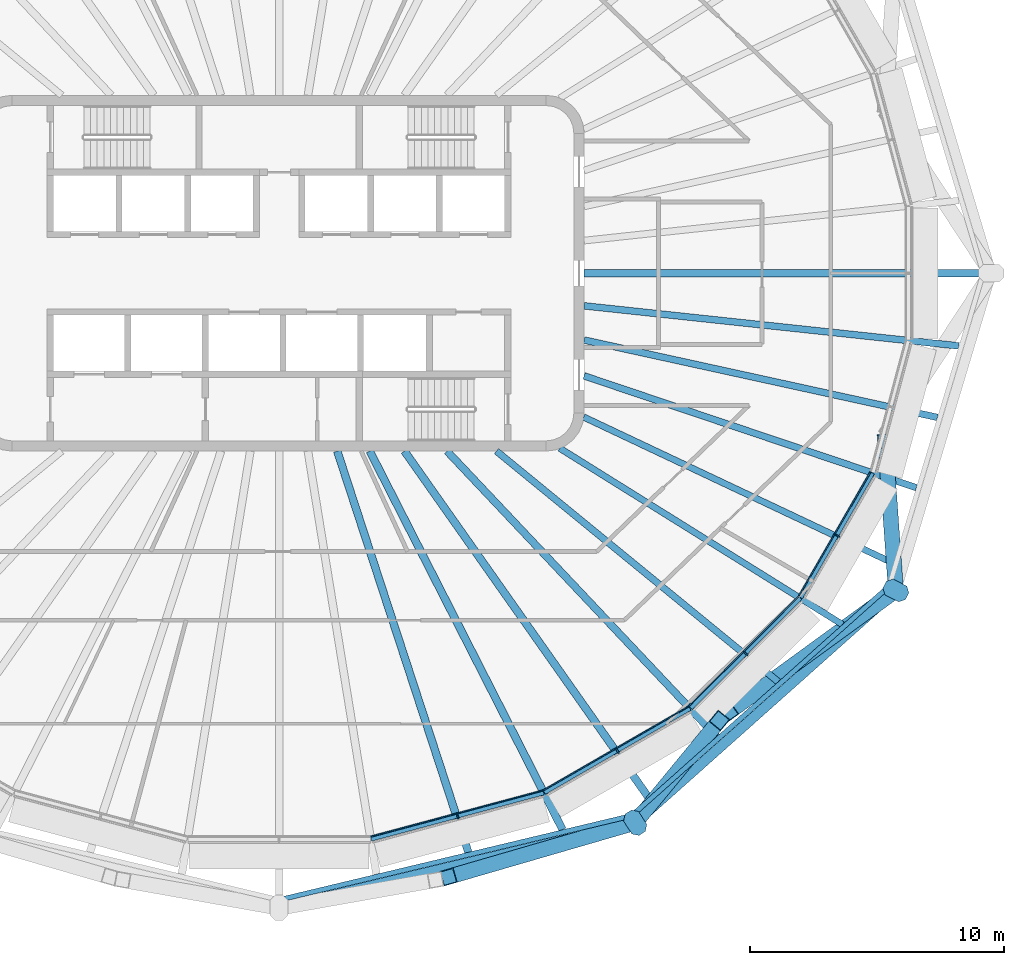
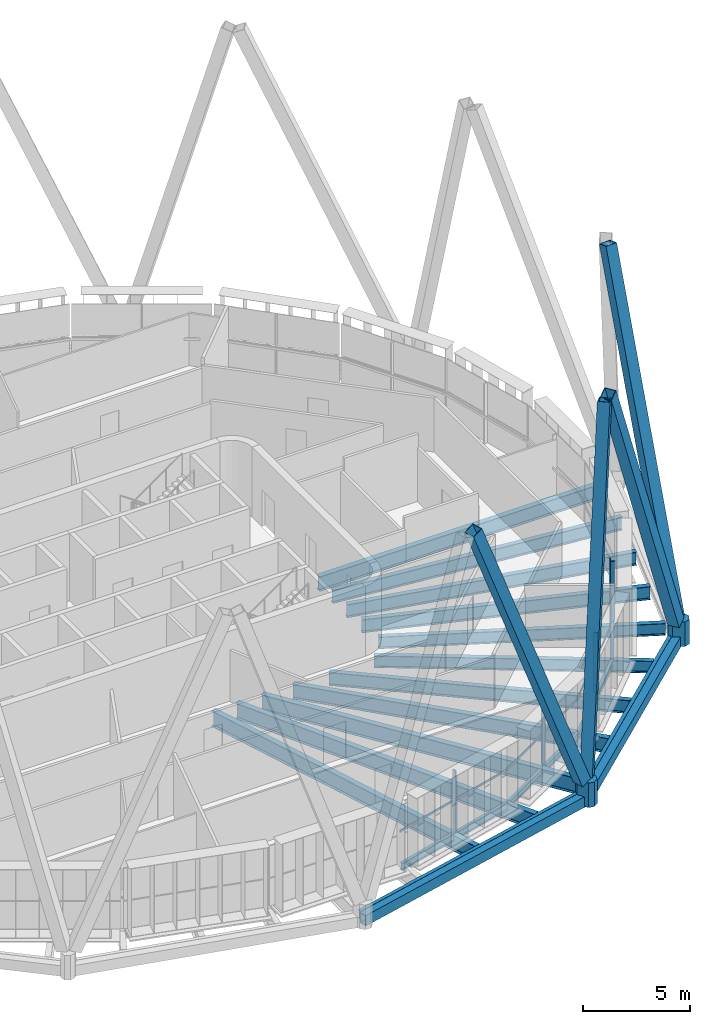
# One storey, part 3 of 18: 19 beams, 14 members, 4 elements without a shape of their own.
"""IFC4 building model written with IfcOpenShell, lengths in metres."""

import ifcopenshell
import ifcopenshell.guid

model = None  # the IFC model being written
_history = None  # IfcOwnerHistory: only IFC2X3 demands one
_inside = {}  # id of a spatial element -> (the spatial element, [elements in it])
_under = {}  # id of a project, library or spatial element -> (it, [spatial elements below it])
_declared = {}  # id of a project -> (the project, [libraries it declares])
_typed = {}  # id of a type object -> (the type object, [elements of that type])
_made_of = {}  # id of a material, layer set ... -> (it, [elements and type objects made of it])


def new_model(schema):
    """Start an empty IFC model of exactly this schema.

    Asked for "IFC4X3", IfcOpenShell would pick the latest addendum, in which some entities
    have other attributes; the version numbers below select the first issue.
    IFC2X3 requires an IfcOwnerHistory on every rooted entity: one is made here for all.
    """
    global model, _history
    if schema == "IFC4X3":
        model = ifcopenshell.file(schema_version=(4, 3, 0, 0))
    else:
        model = ifcopenshell.file(schema=schema)
    _inside.clear()
    _under.clear()
    _declared.clear()
    _typed.clear()
    _made_of.clear()
    _history = None
    if model.schema == "IFC2X3":
        org = make("IfcOrganization", Name="unknown")
        user = make(
            "IfcPersonAndOrganization",
            ThePerson=make("IfcPerson", FamilyName="unknown"),
            TheOrganization=org,
        )
        app = make(
            "IfcApplication",
            ApplicationDeveloper=org,
            Version="unknown",
            ApplicationFullName="unknown",
            ApplicationIdentifier="unknown",
        )
        _history = make(
            "IfcOwnerHistory",
            OwningUser=user,
            OwningApplication=app,
            ChangeAction="ADDED",
            CreationDate=0,
        )
    return model


def make(cls, **values):
    """One entity of the class cls with the attributes given. An attribute that is None is left unset."""
    return model.create_entity(
        cls, **{name: value for name, value in values.items() if value is not None}
    )


def rooted(cls, **values):
    """An entity with a GlobalId (a new one), such as an element, a storey or a relation."""
    return make(cls, GlobalId=ifcopenshell.guid.new(), OwnerHistory=_history, **values)


def si_unit(unit_type, name, prefix=None):
    """IfcSIUnit, for example si_unit("LENGTHUNIT", "METRE", prefix="MILLI")."""
    return make("IfcSIUnit", UnitType=unit_type, Prefix=prefix, Name=name)


def assignment(units):
    """IfcUnitAssignment: the units of a project."""
    return None if units is None else make("IfcUnitAssignment", Units=units)


def point(xyz):
    """IfcCartesianPoint."""
    return None if xyz is None else make("IfcCartesianPoint", Coordinates=xyz)


def direction(xyz):
    """IfcDirection."""
    return None if xyz is None else make("IfcDirection", DirectionRatios=xyz)


def frame(location, z_axis=None, x_axis=None):
    """IfcAxis2Placement3D, a coordinate frame: its origin and axes. An axis left out is left unset."""
    return make(
        "IfcAxis2Placement3D",
        Location=point(location),
        Axis=direction(z_axis),
        RefDirection=direction(x_axis),
    )


def frame_2d(location, x_axis=None):
    """IfcAxis2Placement2D, a coordinate frame in the plane: its origin and x axis."""
    return make(
        "IfcAxis2Placement2D", Location=point(location), RefDirection=direction(x_axis)
    )


def origin():
    """The frame at (0, 0, 0) with its axes left unset."""
    return frame((0.0, 0.0, 0.0))


def origin_2d():
    """The frame at (0, 0) in the plane with its x axis left unset."""
    return frame_2d((0.0, 0.0))


def place(relative_to, where):
    """IfcLocalPlacement: puts the frame where relative to a parent placement (None: the world)."""
    return make(
        "IfcLocalPlacement", PlacementRelTo=relative_to, RelativePlacement=where
    )


def context(
    kind, dimensions, precision=None, world=None, true_north=None, identifier=None
):
    """IfcGeometricRepresentationContext, for example the 3D "Model" context."""
    return make(
        "IfcGeometricRepresentationContext",
        ContextIdentifier=identifier,
        ContextType=kind,
        CoordinateSpaceDimension=dimensions,
        Precision=precision,
        WorldCoordinateSystem=world,
        TrueNorth=true_north,
    )


def subcontext(parent, identifier, kind, view, scale=None):
    """IfcGeometricRepresentationSubContext, for example "Body" below "Model"."""
    return make(
        "IfcGeometricRepresentationSubContext",
        ContextIdentifier=identifier,
        ContextType=kind,
        ParentContext=parent,
        TargetScale=scale,
        TargetView=view,
    )


def project(units=None, contexts=None):
    """IfcProject with its units and contexts."""
    return rooted(
        "IfcProject",
        Name="project",
        RepresentationContexts=contexts,
        UnitsInContext=assignment(units),
    )


def spatial(cls, under=None, at=None, **own):
    """A site, building, storey or space (cls), placed at a placement, below another one or the project."""
    s = rooted(cls, ObjectPlacement=at, **own)
    if under is not None:
        _under.setdefault(under.id(), (under, []))[1].append(s)
    return s


def polyline(points):
    """IfcPolyline through the points."""
    return make("IfcPolyline", Points=[point(p) for p in points])


def profile(cls, at=None, kind="AREA", **sizes):
    """A parametric profile (cls). Its sizes go by their IFC names, for example OverallWidth=200.0."""
    return make(cls, ProfileType=kind, Position=at, **sizes)


def rectangle(**sizes):
    """IfcRectangleProfileDef."""
    return profile("IfcRectangleProfileDef", **sizes)


def hollow_rectangle(**sizes):
    """IfcRectangleHollowProfileDef."""
    return profile("IfcRectangleHollowProfileDef", **sizes)


def i_section(**sizes):
    """IfcIShapeProfileDef."""
    return profile("IfcIShapeProfileDef", **sizes)


def outline(outer, holes=None, kind="AREA"):
    """IfcArbitraryClosedProfileDef: a profile drawn as a closed curve; with holes, ...WithVoids."""
    if holes is None:
        return make("IfcArbitraryClosedProfileDef", ProfileType=kind, OuterCurve=outer)
    return make(
        "IfcArbitraryProfileDefWithVoids",
        ProfileType=kind,
        OuterCurve=outer,
        InnerCurves=holes,
    )


def extrude(swept, where, along, depth):
    """IfcExtrudedAreaSolid: the profile swept, set in the frame where, extruded along a direction by depth."""
    return make(
        "IfcExtrudedAreaSolid",
        SweptArea=swept,
        Position=where,
        ExtrudedDirection=direction(along),
        Depth=depth,
    )


def shape(context_of_items, identifier, shape_type, items):
    """IfcShapeRepresentation: the items that make up one representation, for example the "Body"."""
    return make(
        "IfcShapeRepresentation",
        ContextOfItems=context_of_items,
        RepresentationIdentifier=identifier,
        RepresentationType=shape_type,
        Items=items,
    )


def material(Name=None, Category=None):
    """IfcMaterial."""
    return make("IfcMaterial", Name=Name, Category=Category)


def layer(
    of_material, thickness, ventilated=None, Name=None, Category=None, Priority=None
):
    """IfcMaterialLayer: one layer of a wall or slab, of a material (None: an air gap)."""
    return make(
        "IfcMaterialLayer",
        Material=of_material,
        LayerThickness=thickness,
        IsVentilated=ventilated,
        Name=Name,
        Category=Category,
        Priority=Priority,
    )


def layer_set(layers, Name=None):
    """IfcMaterialLayerSet."""
    return make("IfcMaterialLayerSet", MaterialLayers=layers, LayerSetName=Name)


def material_profile(
    of_material, cross_section, Name=None, Category=None, Priority=None
):
    """IfcMaterialProfile: a cross section and its material."""
    return make(
        "IfcMaterialProfile",
        Name=Name,
        Material=of_material,
        Profile=cross_section,
        Priority=Priority,
        Category=Category,
    )


def profile_set(profiles, Name=None, composite=None):
    """IfcMaterialProfileSet."""
    return make(
        "IfcMaterialProfileSet",
        Name=Name,
        MaterialProfiles=profiles,
        CompositeProfile=composite,
    )


def made_of(thing, what):
    """Note that an element or type object is made of a material, layer set ...; save() writes the relation."""
    if what is not None:
        _made_of.setdefault(what.id(), (what, []))[1].append(thing)
    return thing


def type_object(cls, material=None, **own):
    """A type object (cls), such as IfcWallType, which elements share."""
    return made_of(rooted(cls, **own), material)


def element(
    cls,
    number,
    at=None,
    inside=None,
    cuts=None,
    type_object=None,
    material=None,
    context=None,
    identifier="Body",
    shape_type=None,
    held_by="IfcProductDefinitionShape",
    body=None,
    shapes=None,
    **own,
):
    """One element of the class cls, such as IfcWall. Its Tag is "e" and its number.

    at: its placement. inside: the storey or other place that contains it. cuts: it is an
    opening in that element (IfcRelVoidsElement). A single representation is given by context,
    identifier, shape_type and body (its items); several are given by shapes. held_by: the class
    of the entity that holds the representations. save() writes the other relations.
    """
    e = rooted(cls, Tag="e%d" % number, ObjectPlacement=at, **own)
    if body is not None:
        shapes = [shape(context, identifier, shape_type, body)]
    if shapes is not None:
        e.Representation = make(held_by, Representations=shapes)
    if inside is not None:
        _inside.setdefault(inside.id(), (inside, []))[1].append(e)
    if cuts is not None:
        rooted(
            "IfcRelVoidsElement", RelatingBuildingElement=cuts, RelatedOpeningElement=e
        )
    if type_object is not None:
        _typed.setdefault(type_object.id(), (type_object, []))[1].append(e)
    return made_of(e, material)


def aggregate(whole, parts):
    """IfcRelAggregates: a whole, such as a stair, and the parts it consists of."""
    return rooted("IfcRelAggregates", RelatingObject=whole, RelatedObjects=parts)


def save(model, path):
    """Write the relations noted so far, then the file.

    IfcRelAggregates (storeys below a building ...), IfcRelContainedInSpatialStructure (elements
    in a storey), IfcRelDefinesByType, IfcRelAssociatesMaterial and IfcRelDeclares: one each for
    every whole, place, type object, material and project.
    """
    for whole, parts in _under.values():
        aggregate(whole, parts)
    for where, things in _inside.values():
        rooted(
            "IfcRelContainedInSpatialStructure",
            RelatedElements=things,
            RelatingStructure=where,
        )
    for kind, things in _typed.values():
        rooted("IfcRelDefinesByType", RelatedObjects=things, RelatingType=kind)
    for what, things in _made_of.values():
        rooted("IfcRelAssociatesMaterial", RelatedObjects=things, RelatingMaterial=what)
    for by, libraries in _declared.values():
        rooted("IfcRelDeclares", RelatingContext=by, RelatedDefinitions=libraries)
    model.write(path)


model = new_model("IFC4")

# Units and contexts
model_context = context("Model", 3, precision=1e-05, world=origin(), true_north=direction((0.0, 1.0)))
body_context = subcontext(model_context, "Body", "Model", "MODEL_VIEW")
ifc_project = project(units=[si_unit("LENGTHUNIT", "METRE"), si_unit("AREAUNIT", "SQUARE_METRE"), si_unit("VOLUMEUNIT", "CUBIC_METRE"), si_unit("PLANEANGLEUNIT", "RADIAN"), si_unit("MASSUNIT", "GRAM", prefix="KILO")], contexts=[model_context])

# Site, building, storey
site_placement = place(None, origin())
site = spatial("IfcSite", under=ifc_project, at=site_placement, CompositionType="ELEMENT")
building_placement = place(site_placement, origin())
building = spatial("IfcBuilding", under=site, at=building_placement, Name="Sahrelin Media Tower", CompositionType="ELEMENT")
storey_placement = place(building_placement, frame((0.0, 0.0, 316.39990234375)))
storey = spatial("IfcBuildingStorey", under=building, at=storey_placement, Name="L70", CompositionType="ELEMENT", Elevation=316.39990234375)

# Members
ifc_material_1 = material(Name="Steel S460", Category="steel")
ifc_material_profile_1 = material_profile(ifc_material_1, hollow_rectangle(XDim=0.60009765625, YDim=0.60009765625, WallThickness=0.030029296875, at=origin_2d()), Name="Diagrid diagonal DG9")
ifc_profile_set_1 = profile_set([ifc_material_profile_1], Name="Steel S460")
member_type_1 = type_object("IfcMemberType", Name="Diagrid diagonal DG9", PredefinedType="BRACE", material=ifc_profile_set_1)
member_1_placement = place(storey_placement, frame((13.7333984375, -21.697509765625, 0.7001953125), z_axis=(-0.363679356396, -0.10556003272, 0.925523854487), x_axis=(0.278751022186, -0.960363403942, 0.0)))
element("IfcMember", 1, at=member_1_placement, inside=storey, type_object=member_type_1, Name="Diagrid diagonal D16-19", PredefinedType="BRACE", context=body_context, shape_type="SweptSolid", body=[
    extrude(hollow_rectangle(XDim=0.60009765625, YDim=0.60009765625, WallThickness=0.030029296875, at=origin_2d()), origin(), (0.0, 0.0, 1.0), 19.448486328125),
])
member_2_placement = place(storey_placement, frame((14.13232421875, -21.46728515625, 0.7001953125), z_axis=(0.170636757802, 0.207207376875, 0.963300679879), x_axis=(-0.771938665879, 0.635697015977, 0.0)))
element("IfcMember", 2, at=member_2_placement, inside=storey, type_object=member_type_1, Name="Diagrid diagonal D16-20", PredefinedType="BRACE", context=body_context, shape_type="SweptSolid", body=[
    extrude(hollow_rectangle(XDim=0.60009765625, YDim=0.60009765625, WallThickness=0.030029296875, at=origin_2d()), origin(), (0.0, 0.0, 1.0), 18.685791015625),
])
member_3_placement = place(storey_placement, frame((24.01708984375, -12.66015625, 0.7001953125), z_axis=(-0.322314038724, -0.234657855068, 0.917087428491), x_axis=(0.588577891078, -0.808440514901, 0.0)))
element("IfcMember", 3, at=member_3_placement, inside=storey, type_object=member_type_1, Name="Diagrid diagonal D16-21", PredefinedType="BRACE", context=body_context, shape_type="SweptSolid", body=[
    extrude(hollow_rectangle(XDim=0.60009765625, YDim=0.60009765625, WallThickness=0.030029296875, at=origin_2d()), origin(), (0.0, 0.0, 1.0), 19.62744140625),
])
member_4_placement = place(storey_placement, frame((24.24755859375, -12.260986328125, 0.7001953125), z_axis=(-0.021293837719, 0.29969200765, 0.953798339811), x_axis=(-0.997485295429, -0.07087372858, 0.0)))
element("IfcMember", 4, at=member_4_placement, inside=storey, type_object=member_type_1, Name="Diagrid diagonal D16-22", PredefinedType="BRACE", context=body_context, shape_type="SweptSolid", body=[
    extrude(hollow_rectangle(XDim=0.60009765625, YDim=0.60009765625, WallThickness=0.030029296875, at=origin_2d()), origin(), (0.0, 0.0, 1.0), 18.871826171875),
])
ifc_material_profile_2 = material_profile(ifc_material_1, outline(polyline([(0.300048828125, -0.35009765625), (0.5, -0.14990234375), (0.5, 0.14990234375), (0.300048828125, 0.35009765625), (-0.300048828125, 0.35009765625), (-0.5, 0.14990234375), (-0.5, -0.14990234375), (-0.300048828125, -0.35009765625), (0.300048828125, -0.35009765625)])), Name="Diagrid node block 1000")
ifc_profile_set_2 = profile_set([ifc_material_profile_2], Name="Steel S460")
member_type_2 = type_object("IfcMemberType", Name="Diagrid node block 1000", PredefinedType="USERDEFINED", material=ifc_profile_set_2)
for number, where, z_axis, x_axis, name in (
    (5, (14.00830078125, -21.617919921875, -0.699951171875), (0.0, 0.0, 1.0), (0.543810283352, -0.839208183778, 0.0), "Diagrid node N16-10"),
    (6, (24.26318359375, -12.481201171875, -0.699951171875), (0.0, 0.0, 1.0), (0.889244786604, -0.457431644618, 0.0), "Diagrid node N16-11"),
):
    element("IfcMember", number, at=place(storey_placement, frame(where, z_axis=z_axis, x_axis=x_axis)), inside=storey, type_object=member_type_2, Name=name, ObjectType="NODE", PredefinedType="USERDEFINED", context=body_context, shape_type="SweptSolid", body=[
        extrude(outline(polyline([(0.300048828125, -0.35009765625), (0.5, -0.14990234375), (0.5, 0.14990234375), (0.300048828125, 0.35009765625), (-0.300048828125, 0.35009765625), (-0.5, 0.14990234375), (-0.5, -0.14990234375), (-0.300048828125, -0.35009765625), (0.300048828125, -0.35009765625)])), origin(), (0.0, 0.0, 1.0), 1.400146484375),
    ])

# Beams
ifc_material_profile_3 = material_profile(ifc_material_1, hollow_rectangle(XDim=0.39990234375, YDim=0.60009765625, WallThickness=0.030029296875, at=origin_2d()), Name="Diagrid ring beam RB1")
ifc_profile_set_3 = profile_set([ifc_material_profile_3], Name="Steel S460")
beam_type_1 = type_object("IfcBeamType", Name="Diagrid ring beam RB1", PredefinedType="BEAM", material=ifc_profile_set_3)
beam_1_placement = place(storey_placement, frame((0.0, -24.962158203125, -0.449951171875), z_axis=(0.972666348259, 0.232207181123, 0.0), x_axis=(-0.232207181123, 0.972666348259, 0.0)))
element("IfcBeam", 7, at=beam_1_placement, inside=storey, type_object=beam_type_1, Name="Diagrid ring beam RB16-09", PredefinedType="BEAM", context=body_context, shape_type="SweptSolid", body=[
    extrude(hollow_rectangle(XDim=0.39990234375, YDim=0.60009765625, WallThickness=0.030029296875, at=origin_2d()), origin(), (0.0, 0.0, 1.0), 14.40185546875),
])
beam_2_placement = place(storey_placement, frame((14.00830078125, -21.617919921875, -0.449951171875), z_axis=(0.74663993806, 0.66522838401, 0.0), x_axis=(-0.66522838401, 0.74663993806, 0.0)))
element("IfcBeam", 8, at=beam_2_placement, inside=storey, type_object=beam_type_1, Name="Diagrid ring beam RB16-10", PredefinedType="BEAM", context=body_context, shape_type="SweptSolid", body=[
    extrude(hollow_rectangle(XDim=0.39990234375, YDim=0.60009765625, WallThickness=0.030029296875, at=origin_2d()), origin(), (0.0, 0.0, 1.0), 13.734619140625),
])
ifc_material_2 = material(Name="Steel S355", Category="steel")
ifc_material_profile_4 = material_profile(ifc_material_2, i_section(OverallWidth=0.1650390625, OverallDepth=0.303466796875, WebThickness=0.006103515625, FlangeThickness=0.01025390625, FilletRadius=0.0087890625, at=origin_2d()), Name="UB 305x165x40")
ifc_profile_set_4 = profile_set([ifc_material_profile_4], Name="Steel S355")
beam_type_2 = type_object("IfcBeamType", Name="Edge beam EB2", PredefinedType="BEAM", material=ifc_profile_set_4)
beam_3_placement = place(storey_placement, frame((23.345947265625, -7.863037109375, -0.301513671875), z_axis=(-0.500010103361, -0.866019570528, 0.0), x_axis=(0.866019570528, -0.500010103361, 0.0)))
element("IfcBeam", 9, at=beam_3_placement, inside=storey, type_object=beam_type_2, Name="Edge beam L70-03", PredefinedType="BEAM", context=body_context, shape_type="SweptSolid", body=[
    extrude(i_section(OverallWidth=0.1650390625, OverallDepth=0.303466796875, WebThickness=0.006103515625, FlangeThickness=0.01025390625, FilletRadius=0.0087890625, at=origin_2d()), origin(), (0.0, 0.0, 1.0), 5.6572265625),
])
ifc_material_profile_5 = material_profile(ifc_material_2, i_section(OverallWidth=0.17138671875, OverallDepth=0.35498046875, WebThickness=0.00732421875, FlangeThickness=0.011474609375, FilletRadius=0.01025390625, at=origin_2d()), Name="UB 356x171x51")
ifc_profile_set_5 = profile_set([ifc_material_profile_5], Name="Steel S355")
beam_type_3 = type_object("IfcBeamType", Name="Edge beam EB3", PredefinedType="BEAM", material=ifc_profile_set_5)
beam_4_placement = place(storey_placement, frame((20.499755859375, -12.784912109375, -0.327392578125), z_axis=(-0.707086785237, -0.707126776571, 0.0), x_axis=(0.707126776571, -0.707086785237, 0.0)))
element("IfcBeam", 10, at=beam_4_placement, inside=storey, type_object=beam_type_3, Name="Edge beam L70-04", PredefinedType="BEAM", context=body_context, shape_type="SweptSolid", body=[
    extrude(i_section(OverallWidth=0.17138671875, OverallDepth=0.35498046875, WebThickness=0.00732421875, FlangeThickness=0.011474609375, FilletRadius=0.01025390625, at=origin_2d()), origin(), (0.0, 0.0, 1.0), 6.104736328125),
])
beam_5_placement = place(storey_placement, frame((16.16015625, -17.119384765625, -0.327392578125), z_axis=(-0.86602569981, -0.499999487269, 0.0), x_axis=(0.499999487269, -0.86602569981, 0.0)))
element("IfcBeam", 11, at=beam_5_placement, inside=storey, type_object=beam_type_3, Name="Edge beam L70-05", PredefinedType="BEAM", context=body_context, shape_type="SweptSolid", body=[
    extrude(i_section(OverallWidth=0.17138671875, OverallDepth=0.35498046875, WebThickness=0.00732421875, FlangeThickness=0.011474609375, FilletRadius=0.01025390625, at=origin_2d()), origin(), (0.0, 0.0, 1.0), 6.611328125),
])
ifc_material_profile_6 = material_profile(ifc_material_2, i_section(OverallWidth=0.177978515625, OverallDepth=0.406494140625, WebThickness=0.0078125, FlangeThickness=0.0126953125, FilletRadius=0.01025390625, at=origin_2d()), Name="UB 406x178x60")
ifc_profile_set_6 = profile_set([ifc_material_profile_6], Name="Steel S355")
beam_type_4 = type_object("IfcBeamType", Name="Edge beam EB4", PredefinedType="BEAM", material=ifc_profile_set_6)
beam_6_placement = place(storey_placement, frame((10.407958984375, -20.43603515625, -0.35302734375), z_axis=(-0.965922766368, -0.258830464613, 0.0), x_axis=(0.258830464613, -0.965922766368, 0.0)))
element("IfcBeam", 12, at=beam_6_placement, inside=storey, type_object=beam_type_4, Name="Edge beam L70-06", PredefinedType="BEAM", context=body_context, shape_type="SweptSolid", body=[
    extrude(i_section(OverallWidth=0.177978515625, OverallDepth=0.406494140625, WebThickness=0.0078125, FlangeThickness=0.0126953125, FilletRadius=0.01025390625, at=origin_2d()), origin(), (0.0, 0.0, 1.0), 7.025390625),
])

# Curtain wall, member
ifc_material_3 = material(Name="Champagne anodised aluminium 6063-T6", Category="aluminium")
ifc_layer = layer(ifc_material_3, 0.14990234375)
ifc_layer_set = layer_set([ifc_layer], Name="Tower ribbon curtain wall")
curtain_wall_type = type_object("IfcCurtainWallType", Name="Tower ribbon curtain wall", PredefinedType="NOTDEFINED", material=ifc_layer_set)
curtain_wall_1_placement = place(storey_placement, frame((7.0537109375, -21.489990234375, 0.0), z_axis=(0.0, 0.0, 1.0), x_axis=(1.0, 0.0, 0.0)))
curtain_wall_1 = element("IfcCurtainWall", 13, at=curtain_wall_1_placement, inside=storey, type_object=curtain_wall_type, Name="L70:CW:L70-19", PredefinedType="NOTDEFINED")
ifc_material_profile_7 = material_profile(ifc_material_3, rectangle(XDim=0.06005859375, YDim=0.199951171875, at=origin_2d()), Name="Mullion 60x200")
ifc_profile_set_7 = profile_set([ifc_material_profile_7], Name="Champagne anodised aluminium 6063-T6")
member_type_3 = type_object("IfcMemberType", Name="Mullion 60x200 CW1C", PredefinedType="MULLION", material=ifc_profile_set_7)
member_5_placement = place(storey_placement, frame((7.022705078125, -21.374267578125, 0.0), z_axis=(0.0, 0.0, 1.0), x_axis=(0.965926278012, 0.258817359244, 0.0)))
member_5 = element("IfcMember", 14, at=member_5_placement, type_object=member_type_3, Name="L70:CWM:L70-19", PredefinedType="MULLION", context=body_context, shape_type="SweptSolid", body=[
    extrude(rectangle(XDim=0.06005859375, YDim=0.199951171875, at=origin_2d()), origin(), (0.0, 0.0, 1.0), 3.44873046875),
])

curtain_wall_2_placement = place(storey_placement, frame((13.372314453125, -18.902099609375, 0.0), z_axis=(0.0, 0.0, 1.0), x_axis=(1.0, 0.0, 0.0)))
curtain_wall_2 = element("IfcCurtainWall", 15, at=curtain_wall_2_placement, inside=storey, type_object=curtain_wall_type, Name="L70:CW:L70-20", PredefinedType="NOTDEFINED")
member_6_placement = place(storey_placement, frame((13.312255859375, -18.798095703125, 0.0), z_axis=(0.0, 0.0, 1.0), x_axis=(0.86602365845, 0.500003022996, 0.0)))
member_6 = element("IfcMember", 16, at=member_6_placement, type_object=member_type_3, Name="L70:CWM:L70-20", PredefinedType="MULLION", context=body_context, shape_type="SweptSolid", body=[
    extrude(rectangle(XDim=0.06005859375, YDim=0.199951171875, at=origin_2d()), origin(), (0.0, 0.0, 1.0), 3.44873046875),
])

curtain_wall_3_placement = place(storey_placement, frame((18.447509765625, -15.049560546875, 0.0), z_axis=(0.0, 0.0, 1.0), x_axis=(1.0, 0.0, 0.0)))
curtain_wall_3 = element("IfcCurtainWall", 17, at=curtain_wall_3_placement, inside=storey, type_object=curtain_wall_type, Name="L70:CW:L70-21", PredefinedType="NOTDEFINED")
member_7_placement = place(storey_placement, frame((18.362548828125, -14.964599609375, 0.0), z_axis=(0.0, 0.0, 1.0), x_axis=(0.707106781187, 0.707106781187, 0.0)))
member_7 = element("IfcMember", 18, at=member_7_placement, type_object=member_type_3, Name="L70:CWM:L70-21", PredefinedType="MULLION", context=body_context, shape_type="SweptSolid", body=[
    extrude(rectangle(XDim=0.06005859375, YDim=0.199951171875, at=origin_2d()), origin(), (0.0, 0.0, 1.0), 3.44873046875),
])

curtain_wall_4_placement = place(storey_placement, frame((22.0615234375, -10.387451171875, 0.0), z_axis=(0.0, 0.0, 1.0), x_axis=(1.0, 0.0, 0.0)))
curtain_wall_4 = element("IfcCurtainWall", 19, at=curtain_wall_4_placement, inside=storey, type_object=curtain_wall_type, Name="L70:CW:L70-22", PredefinedType="NOTDEFINED")
member_8_placement = place(storey_placement, frame((21.95751953125, -10.327392578125, 0.0), z_axis=(0.0, 0.0, 1.0), x_axis=(0.500001511499, 0.866024531118, 0.0)))
member_8 = element("IfcMember", 20, at=member_8_placement, type_object=member_type_3, Name="L70:CWM:L70-22", PredefinedType="MULLION", context=body_context, shape_type="SweptSolid", body=[
    extrude(rectangle(XDim=0.06005859375, YDim=0.199951171875, at=origin_2d()), origin(), (0.0, 0.0, 1.0), 3.44873046875),
])

# Beams
ifc_material_profile_8 = material_profile(ifc_material_2, i_section(OverallWidth=0.291748046875, OverallDepth=0.8349609375, WebThickness=0.013916015625, FlangeThickness=0.018798828125, FilletRadius=0.017822265625, at=origin_2d()), Name="UB 838x292x176")
ifc_profile_set_8 = profile_set([ifc_material_profile_8], Name="Steel S355")
beam_type_5 = type_object("IfcBeamType", Name="Radial primary beam PB10", PredefinedType="BEAM", material=ifc_profile_set_8)
beam_7_placement = place(storey_placement, frame((6.607177734375, -7.0, -0.5673828125), z_axis=(0.686402151296, -0.727222171483, 0.0), x_axis=(0.727222171483, 0.686402151296, 0.0)))
element("IfcBeam", 21, at=beam_7_placement, inside=storey, type_object=beam_type_5, Name="Radial beam L70-21", PredefinedType="BEAM", context=body_context, shape_type="SweptSolid", body=[
    extrude(i_section(OverallWidth=0.291748046875, OverallDepth=0.8349609375, WebThickness=0.013916015625, FlangeThickness=0.018798828125, FilletRadius=0.017822265625, at=origin_2d()), origin(), (0.0, 0.0, 1.0), 15.44873046875),
])
ifc_material_profile_9 = material_profile(ifc_material_2, i_section(OverallWidth=0.30322265625, OverallDepth=0.903076171875, WebThickness=0.01513671875, FlangeThickness=0.020263671875, FilletRadius=0.01904296875, at=origin_2d()), Name="UB 914x305x201")
ifc_profile_set_9 = profile_set([ifc_material_profile_9], Name="Steel S355")
beam_type_6 = type_object("IfcBeamType", Name="Radial primary beam PB11", PredefinedType="BEAM", material=ifc_profile_set_9)
beam_8_placement = place(storey_placement, frame((3.56591796875, -7.0, -0.601318359375), z_axis=(0.453908495023, -0.891048302925, 0.0), x_axis=(0.891048302925, 0.453908495023, 0.0)))
element("IfcBeam", 22, at=beam_8_placement, inside=storey, type_object=beam_type_6, Name="Radial beam L70-20", PredefinedType="BEAM", context=body_context, shape_type="SweptSolid", body=[
    extrude(i_section(OverallWidth=0.30322265625, OverallDepth=0.903076171875, WebThickness=0.01513671875, FlangeThickness=0.020263671875, FilletRadius=0.01904296875, at=origin_2d()), origin(), (0.0, 0.0, 1.0), 16.714111328125),
])
ifc_material_profile_10 = material_profile(ifc_material_2, i_section(OverallWidth=0.2529296875, OverallDepth=0.677978515625, WebThickness=0.01171875, FlangeThickness=0.01611328125, FilletRadius=0.01513671875, at=origin_2d()), Name="UB 686x254x125")
ifc_profile_set_10 = profile_set([ifc_material_profile_10], Name="Steel S355")
beam_type_7 = type_object("IfcBeamType", Name="Radial primary beam PB8", PredefinedType="BEAM", material=ifc_profile_set_10)
beam_9_placement = place(storey_placement, frame((11.040283203125, -6.8857421875, -0.489013671875), z_axis=(0.848498069324, -0.529198475389, 0.0), x_axis=(0.529198475389, 0.848498069324, 0.0)))
element("IfcBeam", 23, at=beam_9_placement, inside=storey, type_object=beam_type_7, Name="Radial beam L70-22", PredefinedType="BEAM", context=body_context, shape_type="SweptSolid", body=[
    extrude(i_section(OverallWidth=0.2529296875, OverallDepth=0.677978515625, WebThickness=0.01171875, FlangeThickness=0.01611328125, FilletRadius=0.01513671875, at=origin_2d()), origin(), (0.0, 0.0, 1.0), 13.108642578125),
])
ifc_material_profile_11 = material_profile(ifc_material_2, i_section(OverallWidth=0.26513671875, OverallDepth=0.75390625, WebThickness=0.0126953125, FlangeThickness=0.017578125, FilletRadius=0.0166015625, at=origin_2d()), Name="UB 762x267x147")
ifc_profile_set_11 = profile_set([ifc_material_profile_11], Name="Steel S355")
beam_type_8 = type_object("IfcBeamType", Name="Radial primary beam PB9", PredefinedType="BEAM", material=ifc_profile_set_11)
beam_10_placement = place(storey_placement, frame((12.0, -4.03955078125, -0.52685546875), z_axis=(0.947742354637, -0.319036720812, 0.0), x_axis=(0.319036720812, 0.947742354637, 0.0)))
element("IfcBeam", 24, at=beam_10_placement, inside=storey, type_object=beam_type_8, Name="Radial beam L70-23", PredefinedType="BEAM", context=body_context, shape_type="SweptSolid", body=[
    extrude(i_section(OverallWidth=0.26513671875, OverallDepth=0.75390625, WebThickness=0.0126953125, FlangeThickness=0.017578125, FilletRadius=0.0166015625, at=origin_2d()), origin(), (0.0, 0.0, 1.0), 13.78662109375),
])
beam_11_placement = place(storey_placement, frame((12.0, -1.28369140625, -0.52685546875), z_axis=(0.994325275642, -0.106382546588, 0.0), x_axis=(0.106382546588, 0.994325275642, 0.0)))
element("IfcBeam", 25, at=beam_11_placement, inside=storey, type_object=beam_type_8, Name="Radial beam L70-24", PredefinedType="BEAM", context=body_context, shape_type="SweptSolid", body=[
    extrude(i_section(OverallWidth=0.26513671875, OverallDepth=0.75390625, WebThickness=0.0126953125, FlangeThickness=0.017578125, FilletRadius=0.0166015625, at=origin_2d()), origin(), (0.0, 0.0, 1.0), 14.82763671875),
])
ifc_material_profile_12 = material_profile(ifc_material_2, i_section(OverallWidth=0.291748046875, OverallDepth=0.8349609375, WebThickness=0.013916015625, FlangeThickness=0.018798828125, FilletRadius=0.017822265625, at=origin_2d()), Name="UB 838x292x176")
ifc_profile_set_12 = profile_set([ifc_material_profile_12], Name="Steel S355")
beam_type_9 = type_object("IfcBeamType", Name="Radial secondary beam SB10", PredefinedType="BEAM", material=ifc_profile_set_12)
beam_12_placement = place(storey_placement, frame((12.0, 0.0, -0.5673828125), z_axis=(1.0, 0.0, 0.0), x_axis=(0.0, 1.0, 0.0)))
element("IfcBeam", 26, at=beam_12_placement, inside=storey, type_object=beam_type_9, Name="Secondary beam L70-24", PredefinedType="BEAM", context=body_context, shape_type="SweptSolid", body=[
    extrude(i_section(OverallWidth=0.291748046875, OverallDepth=0.8349609375, WebThickness=0.013916015625, FlangeThickness=0.018798828125, FilletRadius=0.017822265625, at=origin_2d()), origin(), (0.0, 0.0, 1.0), 15.603759765625),
])
ifc_material_profile_13 = material_profile(ifc_material_2, i_section(OverallWidth=0.30322265625, OverallDepth=0.903076171875, WebThickness=0.01513671875, FlangeThickness=0.020263671875, FilletRadius=0.01904296875, at=origin_2d()), Name="UB 914x305x201")
ifc_profile_set_13 = profile_set([ifc_material_profile_13], Name="Steel S355")
beam_type_10 = type_object("IfcBeamType", Name="Radial secondary beam SB11", PredefinedType="BEAM", material=ifc_profile_set_13)
beam_13_placement = place(storey_placement, frame((2.287353515625, -7.0, -0.601318359375), z_axis=(0.310596523093, -0.950541845393, 0.0), x_axis=(0.950541845393, 0.310596523093, 0.0)))
element("IfcBeam", 27, at=beam_13_placement, inside=storey, type_object=beam_type_10, Name="Secondary beam L70-19", PredefinedType="BEAM", context=body_context, shape_type="SweptSolid", body=[
    extrude(i_section(OverallWidth=0.30322265625, OverallDepth=0.903076171875, WebThickness=0.01513671875, FlangeThickness=0.020263671875, FilletRadius=0.01904296875, at=origin_2d()), origin(), (0.0, 0.0, 1.0), 16.599609375),
])
beam_14_placement = place(storey_placement, frame((4.9326171875, -7.0, -0.601318359375), z_axis=(0.57600715637, -0.817444649998, 0.0), x_axis=(0.817444649998, 0.57600715637, 0.0)))
element("IfcBeam", 28, at=beam_14_placement, inside=storey, type_object=beam_type_10, Name="Secondary beam L70-20", PredefinedType="BEAM", context=body_context, shape_type="SweptSolid", body=[
    extrude(i_section(OverallWidth=0.30322265625, OverallDepth=0.903076171875, WebThickness=0.01513671875, FlangeThickness=0.020263671875, FilletRadius=0.01904296875, at=origin_2d()), origin(), (0.0, 0.0, 1.0), 16.66455078125),
])
ifc_material_profile_14 = material_profile(ifc_material_2, i_section(OverallWidth=0.2529296875, OverallDepth=0.677978515625, WebThickness=0.01171875, FlangeThickness=0.01611328125, FilletRadius=0.01513671875, at=origin_2d()), Name="UB 686x254x125")
ifc_profile_set_14 = profile_set([ifc_material_profile_14], Name="Steel S355")
beam_type_11 = type_object("IfcBeamType", Name="Radial secondary beam SB8", PredefinedType="BEAM", material=ifc_profile_set_14)
beam_15_placement = place(storey_placement, frame((11.979248046875, -5.656982421875, -0.489013671875), z_axis=(0.904247481471, -0.42700877304, 0.0), x_axis=(0.42700877304, 0.904247481471, 0.0)))
element("IfcBeam", 29, at=beam_15_placement, inside=storey, type_object=beam_type_11, Name="Secondary beam L70-22", PredefinedType="BEAM", context=body_context, shape_type="SweptSolid", body=[
    extrude(i_section(OverallWidth=0.2529296875, OverallDepth=0.677978515625, WebThickness=0.01171875, FlangeThickness=0.01611328125, FilletRadius=0.01513671875, at=origin_2d()), origin(), (0.0, 0.0, 1.0), 13.48291015625),
])
ifc_material_profile_15 = material_profile(ifc_material_2, i_section(OverallWidth=0.26513671875, OverallDepth=0.75390625, WebThickness=0.0126953125, FlangeThickness=0.017578125, FilletRadius=0.0166015625, at=origin_2d()), Name="UB 762x267x147")
ifc_profile_set_15 = profile_set([ifc_material_profile_15], Name="Steel S355")
beam_type_12 = type_object("IfcBeamType", Name="Radial secondary beam SB9", PredefinedType="BEAM", material=ifc_profile_set_15)
beam_16_placement = place(storey_placement, frame((8.551513671875, -7.0, -0.52685546875), z_axis=(0.773813005588, -0.633414108133, 0.0), x_axis=(0.633414108133, 0.773813005588, 0.0)))
element("IfcBeam", 30, at=beam_16_placement, inside=storey, type_object=beam_type_12, Name="Secondary beam L70-21", PredefinedType="BEAM", context=body_context, shape_type="SweptSolid", body=[
    extrude(i_section(OverallWidth=0.26513671875, OverallDepth=0.75390625, WebThickness=0.0126953125, FlangeThickness=0.017578125, FilletRadius=0.0166015625, at=origin_2d()), origin(), (0.0, 0.0, 1.0), 14.3251953125),
])
beam_17_placement = place(storey_placement, frame((12.0, -2.628662109375, -0.52685546875), z_axis=(0.976840310685, -0.213969641352, 0.0), x_axis=(0.213969641352, 0.976840310685, 0.0)))
element("IfcBeam", 31, at=beam_17_placement, inside=storey, type_object=beam_type_12, Name="Secondary beam L70-23", PredefinedType="BEAM", context=body_context, shape_type="SweptSolid", body=[
    extrude(i_section(OverallWidth=0.26513671875, OverallDepth=0.75390625, WebThickness=0.0126953125, FlangeThickness=0.017578125, FilletRadius=0.0166015625, at=origin_2d()), origin(), (0.0, 0.0, 1.0), 14.227294921875),
])
ifc_material_profile_16 = material_profile(ifc_material_2, i_section(OverallWidth=0.1904296875, OverallDepth=0.45703125, WebThickness=0.009033203125, FlangeThickness=0.014404296875, FilletRadius=0.01025390625, at=origin_2d()), Name="UB 457x191x74")
ifc_profile_set_16 = profile_set([ifc_material_profile_16], Name="Steel S355")
beam_type_13 = type_object("IfcBeamType", Name="Tie chord TC5", PredefinedType="BEAM", material=ifc_profile_set_16)
beam_18_placement = place(storey_placement, frame((24.000244140625, -12.3134765625, -0.37841796875), z_axis=(-0.746643763591, -0.665224090281, 0.0), x_axis=(0.665224090281, -0.746643763591, 0.0)))
element("IfcBeam", 32, at=beam_18_placement, inside=storey, type_object=beam_type_13, Name="Tie chord L70-02", PredefinedType="BEAM", context=body_context, shape_type="SweptSolid", body=[
    extrude(i_section(OverallWidth=0.1904296875, OverallDepth=0.45703125, WebThickness=0.009033203125, FlangeThickness=0.014404296875, FilletRadius=0.01025390625, at=origin_2d()), origin(), (0.0, 0.0, 1.0), 13.574462890625),
])
beam_19_placement = place(storey_placement, frame((13.864990234375, -21.343505859375, -0.37841796875), z_axis=(-0.972665821988, -0.232209385546, 0.0), x_axis=(0.232209385546, -0.972665821988, 0.0)))
element("IfcBeam", 33, at=beam_19_placement, inside=storey, type_object=beam_type_13, Name="Tie chord L70-03", PredefinedType="BEAM", context=body_context, shape_type="SweptSolid", body=[
    extrude(i_section(OverallWidth=0.1904296875, OverallDepth=0.45703125, WebThickness=0.009033203125, FlangeThickness=0.014404296875, FilletRadius=0.01025390625, at=origin_2d()), origin(), (0.0, 0.0, 1.0), 14.254638671875),
])

# Member
ifc_material_profile_17 = material_profile(ifc_material_3, rectangle(XDim=0.050048828125, YDim=0.1201171875, at=origin_2d()), Name="Transom 50x120")
ifc_profile_set_17 = profile_set([ifc_material_profile_17], Name="Champagne anodised aluminium 6063-T6")
member_type_4 = type_object("IfcMemberType", Name="Transom 50x120 CW1C", PredefinedType="USERDEFINED", material=ifc_profile_set_17)
member_9_placement = place(storey_placement, frame((3.612548828125, -22.158447265625, 1.60009765625), z_axis=(0.965929509854, 0.258805297461, 0.0), x_axis=(-0.258805297461, 0.965929509854, 0.0)))
member_9 = element("IfcMember", 34, at=member_9_placement, type_object=member_type_4, Name="L70:CWT:L70-19", ObjectType="TRANSOM", PredefinedType="USERDEFINED", context=body_context, shape_type="SweptSolid", body=[
    extrude(rectangle(XDim=0.050048828125, YDim=0.1201171875, at=origin_2d()), origin(), (0.0, 0.0, 1.0), 6.993896484375),
])

aggregate(curtain_wall_1, [member_5, member_9])

member_10_placement = place(storey_placement, frame((10.400634765625, -20.3349609375, 1.60009765625), z_axis=(0.866024321458, 0.50000187464, 0.0), x_axis=(-0.50000187464, 0.866024321458, 0.0)))
member_10 = element("IfcMember", 35, at=member_10_placement, type_object=member_type_4, Name="L70:CWT:L70-20", ObjectType="TRANSOM", PredefinedType="USERDEFINED", context=body_context, shape_type="SweptSolid", body=[
    extrude(rectangle(XDim=0.050048828125, YDim=0.1201171875, at=origin_2d()), origin(), (0.0, 0.0, 1.0), 6.580078125),
])

aggregate(curtain_wall_2, [member_6, member_10])

member_11_placement = place(storey_placement, frame((16.126953125, -17.0234375, 1.60009765625), z_axis=(0.707106781187, 0.707106781187, 0.0), x_axis=(-0.707106781187, 0.707106781187, 0.0)))
member_11 = element("IfcMember", 36, at=member_11_placement, type_object=member_type_4, Name="L70:CWT:L70-21", ObjectType="TRANSOM", PredefinedType="USERDEFINED", context=body_context, shape_type="SweptSolid", body=[
    extrude(rectangle(XDim=0.050048828125, YDim=0.1201171875, at=origin_2d()), origin(), (0.0, 0.0, 1.0), 6.0732421875),
])

aggregate(curtain_wall_3, [member_7, member_11])

member_12_placement = place(storey_placement, frame((20.44287109375, -12.700927734375, 1.60009765625), z_axis=(0.499999198584, 0.866025866482, 0.0), x_axis=(-0.866025866482, 0.499999198584, 0.0)))
member_12 = element("IfcMember", 37, at=member_12_placement, type_object=member_type_4, Name="L70:CWT:L70-22", ObjectType="TRANSOM", PredefinedType="USERDEFINED", context=body_context, shape_type="SweptSolid", body=[
    extrude(rectangle(XDim=0.050048828125, YDim=0.1201171875, at=origin_2d()), origin(), (0.0, 0.0, 1.0), 5.62548828125),
])

aggregate(curtain_wall_4, [member_8, member_12])

save(model, "model.ifc")
